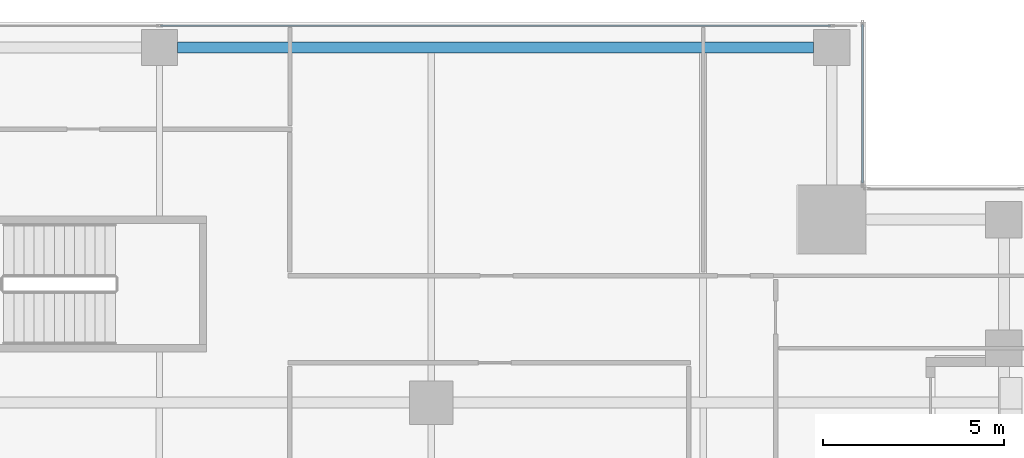
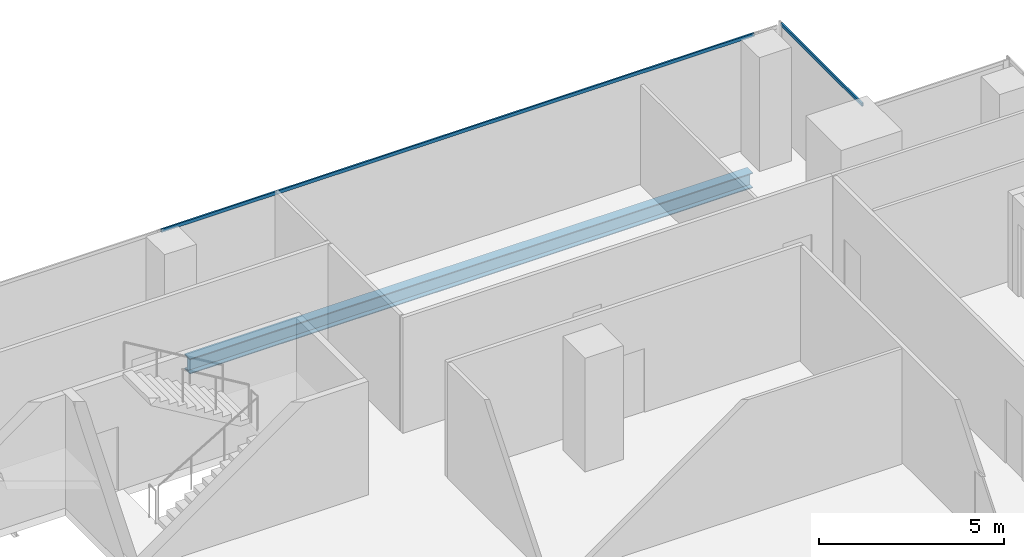
# One storey, part 24 of 38: 2 members, 1 beam, 2 elements without a shape of their own.
"""IFC4 building model written with IfcOpenShell, lengths in metres."""

from ifc_helpers import new_model, si_unit, direction, frame, origin, origin_2d, place, context, subcontext, project, spatial, hollow_rectangle, i_section, extrude, source, transform, mapped, material, material_profile, profile_set, type_object, element, aggregate, save


model = new_model("IFC4")

# Units and contexts
model_context = context("Model", 3, precision=1e-05, world=origin(), true_north=direction((0.0, 1.0)))
body_context = subcontext(model_context, "Body", "Model", "MODEL_VIEW")
ifc_project = project(units=[si_unit("LENGTHUNIT", "METRE"), si_unit("AREAUNIT", "SQUARE_METRE"), si_unit("VOLUMEUNIT", "CUBIC_METRE"), si_unit("PLANEANGLEUNIT", "RADIAN"), si_unit("MASSUNIT", "GRAM", prefix="KILO")], contexts=[model_context])

# Site, building, storey
site_placement = place(None, origin())
site = spatial("IfcSite", under=ifc_project, at=site_placement, CompositionType="ELEMENT")
building_placement = place(site_placement, origin())
building = spatial("IfcBuilding", under=site, at=building_placement, Name="Khomas Fold Tower", CompositionType="ELEMENT")
storey_placement = place(building_placement, frame((0.0, 0.0, 196.699951171875)))
storey = spatial("IfcBuildingStorey", under=building, at=storey_placement, Name="L43", CompositionType="ELEMENT", Elevation=196.699951171875)

# Beam
ifc_material_1 = material(Name="Steel S355", Category="steel")
ifc_material_profile_1 = material_profile(ifc_material_1, i_section(OverallWidth=0.300048828125, OverallDepth=0.5, WebThickness=0.014404296875, FlangeThickness=0.028076171875, at=origin_2d()), Name="HE 500 B")
ifc_profile_set_1 = profile_set([ifc_material_profile_1], Name="Steel S355")
beam_type = type_object("IfcBeamType", Name="HE 500 B spandrel SB3", PredefinedType="SPANDREL", material=ifc_profile_set_1)
shared_shape_1 = source(origin(), body_context, "Body", "SweptSolid", [
    extrude(i_section(OverallWidth=0.300048828125, OverallDepth=0.5, WebThickness=0.014404296875, FlangeThickness=0.028076171875, at=origin_2d()), origin(), (0.0, 0.0, 1.0), 17.550048828125),
])
beam_placement = place(storey_placement, frame((27.5, 50.300048828125, -0.5), z_axis=(1.0, 0.0, 0.0), x_axis=(0.0, 1.0, 0.0)))
element("IfcBeam", 1, at=beam_placement, inside=storey, type_object=beam_type, Name="SB3", PredefinedType="SPANDREL", context=body_context, shape_type="MappedRepresentation", body=[
    mapped(shared_shape_1, transform((0.0, 0.0, 0.0))),
])

# Curtain wall, member
ifc_material_2 = material(Name="Aluminium framed double glazing", Category="aluminium")
curtain_wall_type = type_object("IfcCurtainWallType", Name="SK-Unitised clear-glass wall, office floors CW2", PredefinedType="NOTDEFINED", material=ifc_material_2)
curtain_wall_1_placement = place(storey_placement, origin())
curtain_wall_1 = element("IfcCurtainWall", 2, at=curtain_wall_1_placement, inside=storey, type_object=curtain_wall_type, Name="CW2 corner return L43 05", PredefinedType="NOTDEFINED")
ifc_material_3 = material(Name="Aluminium", Category="aluminium")
ifc_material_profile_2 = material_profile(ifc_material_3, hollow_rectangle(XDim=0.050048828125, YDim=0.110107421875, WallThickness=0.00390625, at=origin_2d()), Name="SK-Unitised clear-glass wall, office floors transom CW2-T")
ifc_profile_set_2 = profile_set([ifc_material_profile_2], Name="Aluminium")
member_type = type_object("IfcMemberType", Name="SK-Unitised clear-glass wall, office floors transom CW2-T", PredefinedType="USERDEFINED", material=ifc_profile_set_2)
shared_shape_2 = source(origin(), body_context, "Body", "SweptSolid", [
    extrude(hollow_rectangle(XDim=0.050048828125, YDim=0.110107421875, WallThickness=0.00390625, at=origin_2d()), origin(), (0.0, 0.0, 1.0), 4.3798828125),
])
member_1_placement = place(storey_placement, frame((46.39990234375, 46.56005859375, 3.695068359375), z_axis=(0.0, 1.0, 0.0), x_axis=(-1.0, 0.0, 0.0)))
member_1 = element("IfcMember", 3, at=member_1_placement, type_object=member_type, Name="CW2 transom 1", ObjectType="TRANSOM", PredefinedType="USERDEFINED", context=body_context, shape_type="MappedRepresentation", body=[
    mapped(shared_shape_2, transform((0.0, 0.0, 0.0))),
])
aggregate(curtain_wall_1, [member_1])

curtain_wall_2_placement = place(storey_placement, origin())
curtain_wall_2 = element("IfcCurtainWall", 4, at=curtain_wall_2_placement, inside=storey, type_object=curtain_wall_type, Name="CW2 run L43 06-0", PredefinedType="NOTDEFINED")
shared_shape_3 = source(origin(), body_context, "Body", "SweptSolid", [
    extrude(hollow_rectangle(XDim=0.050048828125, YDim=0.110107421875, WallThickness=0.00390625, at=origin_2d()), origin(), (0.0, 0.0, 1.0), 18.489990234375),
])
member_2_placement = place(storey_placement, frame((45.52001953125, 50.89990234375, 3.695068359375), z_axis=(-1.0, 0.0, 0.0), x_axis=(0.0, -1.0, 0.0)))
member_2 = element("IfcMember", 5, at=member_2_placement, type_object=member_type, Name="CW2 transom 2", ObjectType="TRANSOM", PredefinedType="USERDEFINED", context=body_context, shape_type="MappedRepresentation", body=[
    mapped(shared_shape_3, transform((0.0, 0.0, 0.0))),
])
aggregate(curtain_wall_2, [member_2])

save(model, "model.ifc")
